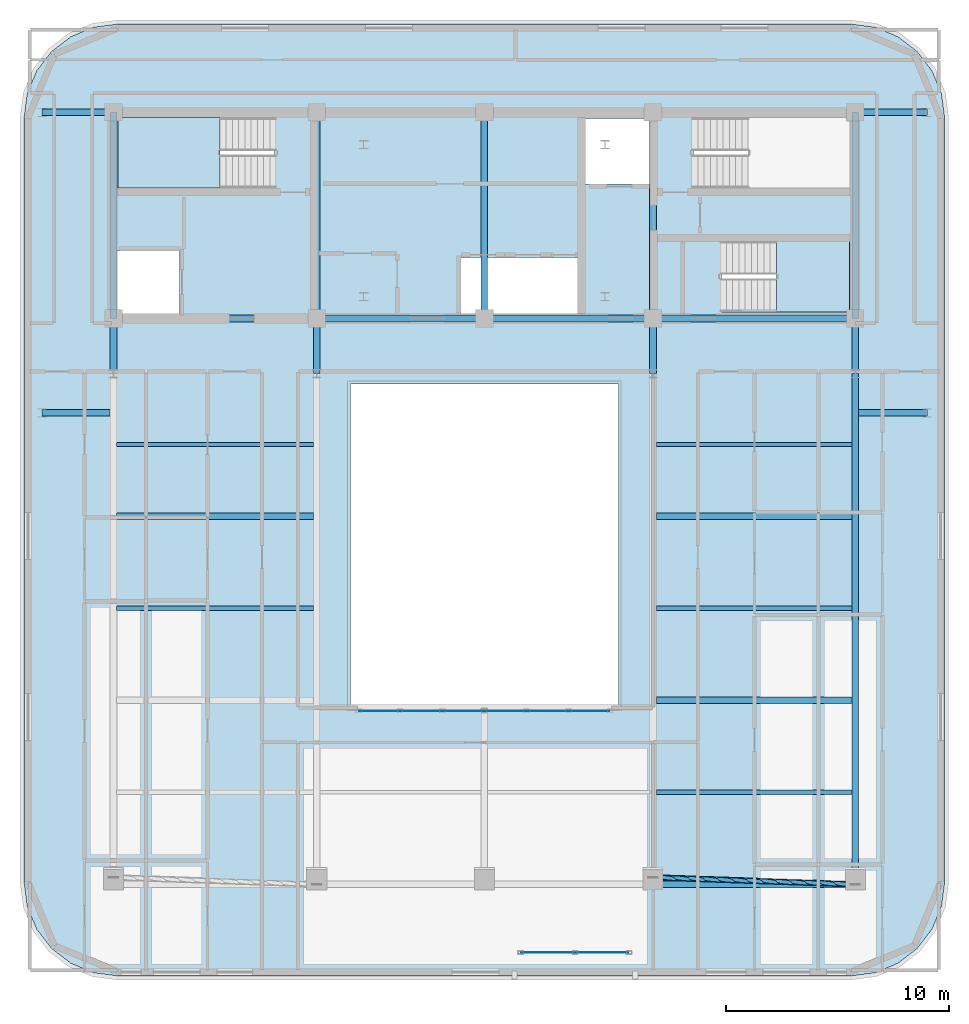
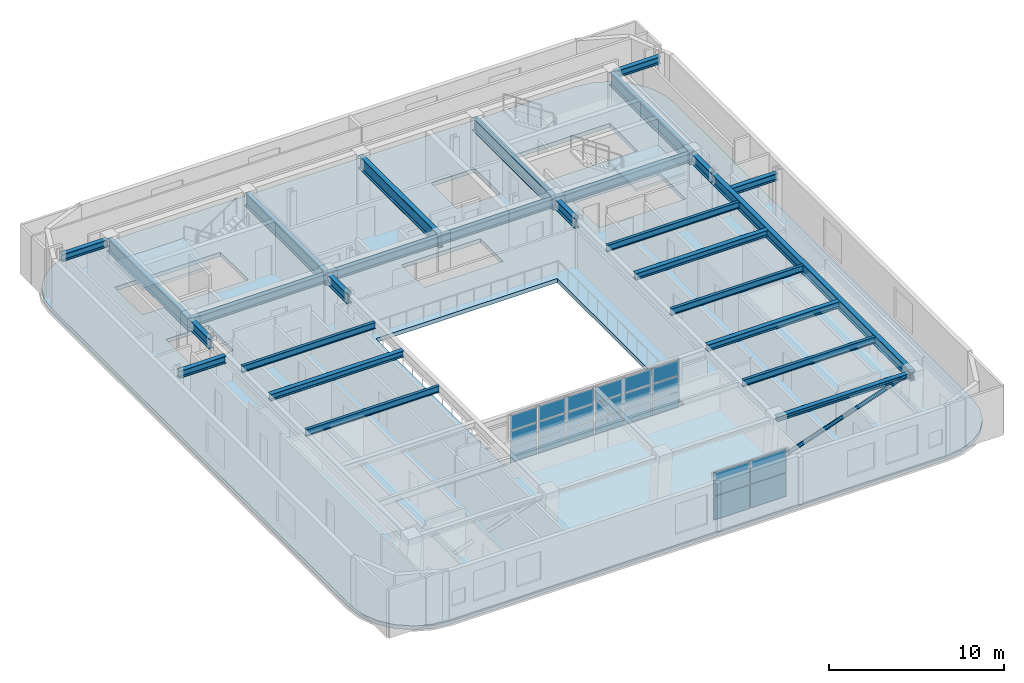
# One storey, part 4 of 14: 27 beams, 22 plates, 3 slabs, 1 member, 4 elements without a shape of their own.
"""IFC4 building model written with IfcOpenShell, lengths in metres."""

from ifc_helpers import new_model, si_unit, direction, frame, origin, origin_2d, place, context, subcontext, project, spatial, polyline, rectangle, hollow_circle, i_section, outline, extrude, material, layer, layer_set, material_profile, profile_set, type_object, element, aggregate, save


model = new_model("IFC4")

# Units and contexts
model_context = context("Model", 3, precision=1e-05, world=origin(), true_north=direction((0.0, 1.0)))
body_context = subcontext(model_context, "Body", "Model", "MODEL_VIEW")
ifc_project = project(units=[si_unit("LENGTHUNIT", "METRE"), si_unit("AREAUNIT", "SQUARE_METRE"), si_unit("VOLUMEUNIT", "CUBIC_METRE"), si_unit("PLANEANGLEUNIT", "RADIAN"), si_unit("MASSUNIT", "GRAM", prefix="KILO")], contexts=[model_context])

# Site, building, storey
site_placement = place(None, origin())
site = spatial("IfcSite", under=ifc_project, at=site_placement, CompositionType="ELEMENT")
building_placement = place(site_placement, origin())
building = spatial("IfcBuilding", under=site, at=building_placement, Name="Zarnavel Station Tower", CompositionType="ELEMENT")
storey_placement = place(building_placement, frame((0.0, 0.0, 258.39990234375)))
storey = spatial("IfcBuildingStorey", under=building, at=storey_placement, Name="L70", CompositionType="ELEMENT", Elevation=258.39990234375)

# Member
ifc_material_1 = material(Name="Steel S355J2", Category="steel")
ifc_material_profile_1 = material_profile(ifc_material_1, hollow_circle(Radius=0.122314453125, WallThickness=0.010009765625, at=origin_2d()), Name="CHS244.5x10")
ifc_profile_set_1 = profile_set([ifc_material_profile_1], Name="Steel S355J2")
member_type = type_object("IfcMemberType", Name="DB_EXT_CHS245", PredefinedType="BRACE", material=ifc_profile_set_1)
member_placement = place(storey_placement, frame((36.35009765625, 2.811767578125, 0.0), z_axis=(0.934945887527, -0.032032515301, 0.353341343972), x_axis=(0.034241266505, 0.999413595899, 0.0)))
element("IfcMember", 1, at=member_placement, inside=storey, type_object=member_type, Name="L70 Persian Exterior Diagonal Frame Brace 2", PredefinedType="BRACE", context=body_context, shape_type="SweptSolid", body=[
    extrude(hollow_circle(Radius=0.122314453125, WallThickness=0.010009765625, at=origin_2d()), origin(), (0.0, 0.0, 1.0), 9.679443359375),
])

# Beams
ifc_material_2 = material(Name="Steel S355J2", Category="steel")
ifc_material_profile_2 = material_profile(ifc_material_2, i_section(OverallWidth=0.300048828125, OverallDepth=0.320068359375, WebThickness=0.011474609375, FlangeThickness=0.0205078125, FilletRadius=0.027099609375, at=origin_2d()), Name="HEB320")
ifc_profile_set_2 = profile_set([ifc_material_profile_2], Name="Steel S355J2")
beam_type_1 = type_object("IfcBeamType", Name="EB_HEB320", PredefinedType="SPANDREL", material=ifc_profile_set_2)
beam_1_placement = place(storey_placement, frame((36.35009765625, 2.501708984375, 3.260009765625), z_axis=(1.0, 0.0, 0.0), x_axis=(0.0, 1.0, 0.0)))
element("IfcBeam", 2, at=beam_1_placement, inside=storey, type_object=beam_type_1, Name="L70 South Raked Spandrel 4", PredefinedType="SPANDREL", context=body_context, shape_type="SweptSolid", body=[
    extrude(i_section(OverallWidth=0.300048828125, OverallDepth=0.320068359375, WebThickness=0.011474609375, FlangeThickness=0.0205078125, FilletRadius=0.027099609375, at=origin_2d()), origin(), (0.0, 0.0, 1.0), 9.0498046875),
])
ifc_material_3 = material(Name="Steel S355J2", Category="steel")
ifc_material_profile_3 = material_profile(ifc_material_3, i_section(OverallWidth=0.300048828125, OverallDepth=0.43994140625, WebThickness=0.011474609375, FlangeThickness=0.02099609375, FilletRadius=0.027099609375, at=origin_2d()), Name="HEA450")
ifc_profile_set_3 = profile_set([ifc_material_profile_3], Name="Steel S355J2")
beam_type_2 = type_object("IfcBeamType", Name="FB_HEA450", PredefinedType="BEAM", material=ifc_profile_set_3)
beam_2_placement = place(storey_placement, frame((36.4951171875, 10.734619140625, 3.2001953125), z_axis=(1.0, 0.0, 0.0), x_axis=(0.0, 1.0, 0.0)))
element("IfcBeam", 3, at=beam_2_placement, inside=storey, type_object=beam_type_2, Name="L70 East Bay Beam 2", PredefinedType="BEAM", context=body_context, shape_type="SweptSolid", body=[
    extrude(i_section(OverallWidth=0.300048828125, OverallDepth=0.43994140625, WebThickness=0.011474609375, FlangeThickness=0.02099609375, FilletRadius=0.027099609375, at=origin_2d()), origin(), (0.0, 0.0, 1.0), 8.759765625),
])
beam_3_placement = place(storey_placement, frame((12.344970703125, 18.96728515625, 3.2001953125), z_axis=(1.0, 0.0, 0.0), x_axis=(0.0, 1.0, 0.0)))
element("IfcBeam", 4, at=beam_3_placement, inside=storey, type_object=beam_type_2, Name="L70 West Bay Beam 4", PredefinedType="BEAM", context=body_context, shape_type="SweptSolid", body=[
    extrude(i_section(OverallWidth=0.300048828125, OverallDepth=0.43994140625, WebThickness=0.011474609375, FlangeThickness=0.02099609375, FilletRadius=0.027099609375, at=origin_2d()), origin(), (0.0, 0.0, 1.0), 8.81005859375),
])
beam_4_placement = place(storey_placement, frame((36.4951171875, 18.96728515625, 3.2001953125), z_axis=(1.0, 0.0, 0.0), x_axis=(0.0, 1.0, 0.0)))
element("IfcBeam", 5, at=beam_4_placement, inside=storey, type_object=beam_type_2, Name="L70 East Bay Beam 4", PredefinedType="BEAM", context=body_context, shape_type="SweptSolid", body=[
    extrude(i_section(OverallWidth=0.300048828125, OverallDepth=0.43994140625, WebThickness=0.011474609375, FlangeThickness=0.02099609375, FilletRadius=0.027099609375, at=origin_2d()), origin(), (0.0, 0.0, 1.0), 8.759765625),
])
ifc_material_4 = material(Name="Steel S355J2", Category="steel")
ifc_material_profile_4 = material_profile(ifc_material_4, i_section(OverallWidth=0.18994140625, OverallDepth=0.449951171875, WebThickness=0.009521484375, FlangeThickness=0.0146484375, FilletRadius=0.02099609375, at=origin_2d()), Name="IPE450")
ifc_profile_set_4 = profile_set([ifc_material_profile_4], Name="Steel S355J2")
beam_type_3 = type_object("IfcBeamType", Name="FB_IPE450", PredefinedType="BEAM", material=ifc_profile_set_4)
beam_5_placement = place(storey_placement, frame((36.4951171875, 6.6181640625, 3.195068359375), z_axis=(1.0, 0.0, 0.0), x_axis=(0.0, 1.0, 0.0)))
element("IfcBeam", 6, at=beam_5_placement, inside=storey, type_object=beam_type_3, Name="L70 East Bay Beam 1", PredefinedType="BEAM", context=body_context, shape_type="SweptSolid", body=[
    extrude(i_section(OverallWidth=0.18994140625, OverallDepth=0.449951171875, WebThickness=0.009521484375, FlangeThickness=0.0146484375, FilletRadius=0.02099609375, at=origin_2d()), origin(), (0.0, 0.0, 1.0), 8.759765625),
])
beam_6_placement = place(storey_placement, frame((12.344970703125, 14.850830078125, 3.195068359375), z_axis=(1.0, 0.0, 0.0), x_axis=(0.0, 1.0, 0.0)))
element("IfcBeam", 7, at=beam_6_placement, inside=storey, type_object=beam_type_3, Name="L70 West Bay Beam 3", PredefinedType="BEAM", context=body_context, shape_type="SweptSolid", body=[
    extrude(i_section(OverallWidth=0.18994140625, OverallDepth=0.449951171875, WebThickness=0.009521484375, FlangeThickness=0.0146484375, FilletRadius=0.02099609375, at=origin_2d()), origin(), (0.0, 0.0, 1.0), 8.81005859375),
])
beam_7_placement = place(storey_placement, frame((36.4951171875, 14.850830078125, 3.195068359375), z_axis=(1.0, 0.0, 0.0), x_axis=(0.0, 1.0, 0.0)))
element("IfcBeam", 8, at=beam_7_placement, inside=storey, type_object=beam_type_3, Name="L70 East Bay Beam 3", PredefinedType="BEAM", context=body_context, shape_type="SweptSolid", body=[
    extrude(i_section(OverallWidth=0.18994140625, OverallDepth=0.449951171875, WebThickness=0.009521484375, FlangeThickness=0.0146484375, FilletRadius=0.02099609375, at=origin_2d()), origin(), (0.0, 0.0, 1.0), 8.759765625),
])
beam_8_placement = place(storey_placement, frame((12.344970703125, 22.18359375, 3.195068359375), z_axis=(1.0, 0.0, 0.0), x_axis=(0.0, 1.0, 0.0)))
element("IfcBeam", 9, at=beam_8_placement, inside=storey, type_object=beam_type_3, Name="L70 West Bay Beam 5", PredefinedType="BEAM", context=body_context, shape_type="SweptSolid", body=[
    extrude(i_section(OverallWidth=0.18994140625, OverallDepth=0.449951171875, WebThickness=0.009521484375, FlangeThickness=0.0146484375, FilletRadius=0.02099609375, at=origin_2d()), origin(), (0.0, 0.0, 1.0), 8.81005859375),
])
beam_9_placement = place(storey_placement, frame((36.4951171875, 22.18359375, 3.195068359375), z_axis=(1.0, 0.0, 0.0), x_axis=(0.0, 1.0, 0.0)))
element("IfcBeam", 10, at=beam_9_placement, inside=storey, type_object=beam_type_3, Name="L70 East Bay Beam 5", PredefinedType="BEAM", context=body_context, shape_type="SweptSolid", body=[
    extrude(i_section(OverallWidth=0.18994140625, OverallDepth=0.449951171875, WebThickness=0.009521484375, FlangeThickness=0.0146484375, FilletRadius=0.02099609375, at=origin_2d()), origin(), (0.0, 0.0, 1.0), 8.759765625),
])
ifc_material_5 = material(Name="Steel S355J2", Category="steel")
ifc_material_profile_5 = material_profile(ifc_material_5, i_section(OverallWidth=0.300048828125, OverallDepth=0.5, WebThickness=0.014404296875, FlangeThickness=0.028076171875, FilletRadius=0.027099609375, at=origin_2d()), Name="HEB500")
ifc_profile_set_5 = profile_set([ifc_material_profile_5], Name="Steel S355J2")
beam_type_4 = type_object("IfcBeamType", Name="FG_HEB500", PredefinedType="USERDEFINED", material=ifc_profile_set_5)
for number, where, z_axis, x_axis, name in (
    (11, (9.0, 23.60009765625, 3.170166015625), (1.0, 0.0, 0.0), (0.0, 1.0, 0.0), "L70 West Wing South Tie 1"),
    (12, (9.0, 37.050048828125, 3.170166015625), (1.0, 0.0, 0.0), (0.0, 1.0, 0.0), "L70 West Wing North Tie 1"),
):
    element("IfcBeam", number, at=place(storey_placement, frame(where, z_axis=z_axis, x_axis=x_axis)), inside=storey, type_object=beam_type_4, Name=name, ObjectType="GIRDER", PredefinedType="USERDEFINED", context=body_context, shape_type="SweptSolid", body=[
        extrude(i_section(OverallWidth=0.300048828125, OverallDepth=0.5, WebThickness=0.014404296875, FlangeThickness=0.028076171875, FilletRadius=0.027099609375, at=origin_2d()), origin(), (0.0, 0.0, 1.0), 3.054931640625),
    ])
for number, where, z_axis, x_axis, name in (
    (13, (45.544921875, 23.60009765625, 3.170166015625), (1.0, 0.0, 0.0), (0.0, 1.0, 0.0), "L70 East Wing South Tie 1"),
    (14, (45.544921875, 37.050048828125, 3.170166015625), (1.0, 0.0, 0.0), (0.0, 1.0, 0.0), "L70 East Wing North Tie 1"),
):
    element("IfcBeam", number, at=place(storey_placement, frame(where, z_axis=z_axis, x_axis=x_axis)), inside=storey, type_object=beam_type_4, Name=name, ObjectType="GIRDER", PredefinedType="USERDEFINED", context=body_context, shape_type="SweptSolid", body=[
        extrude(i_section(OverallWidth=0.300048828125, OverallDepth=0.5, WebThickness=0.014404296875, FlangeThickness=0.028076171875, FilletRadius=0.027099609375, at=origin_2d()), origin(), (0.0, 0.0, 1.0), 3.05517578125),
    ])
ifc_material_6 = material(Name="Steel S355J2", Category="steel")
ifc_material_profile_6 = material_profile(ifc_material_6, i_section(OverallWidth=0.300048828125, OverallDepth=0.60009765625, WebThickness=0.015380859375, FlangeThickness=0.030029296875, FilletRadius=0.027099609375, at=origin_2d()), Name="HEB600")
ifc_profile_set_6 = profile_set([ifc_material_profile_6], Name="Steel S355J2")
beam_type_5 = type_object("IfcBeamType", Name="FG_HEB600", PredefinedType="USERDEFINED", material=ifc_profile_set_6)
beam_10_placement = place(storey_placement, frame((12.199951171875, 27.820068359375, 3.1201171875), z_axis=(1.0, 0.0, 0.0), x_axis=(0.0, 1.0, 0.0)))
element("IfcBeam", 15, at=beam_10_placement, inside=storey, type_object=beam_type_5, Name="L70 Core Front Coupling Beam 1", ObjectType="GIRDER", PredefinedType="USERDEFINED", context=body_context, shape_type="SweptSolid", body=[
    extrude(i_section(OverallWidth=0.300048828125, OverallDepth=0.60009765625, WebThickness=0.015380859375, FlangeThickness=0.030029296875, FilletRadius=0.027099609375, at=origin_2d()), origin(), (0.0, 0.0, 1.0), 9.10009765625),
])
beam_11_placement = place(storey_placement, frame((21.300048828125, 27.820068359375, 3.1201171875), z_axis=(1.0, 0.0, 0.0), x_axis=(0.0, 1.0, 0.0)))
element("IfcBeam", 16, at=beam_11_placement, inside=storey, type_object=beam_type_5, Name="L70 Core Front Coupling Beam 2", ObjectType="GIRDER", PredefinedType="USERDEFINED", context=body_context, shape_type="SweptSolid", body=[
    extrude(i_section(OverallWidth=0.300048828125, OverallDepth=0.60009765625, WebThickness=0.015380859375, FlangeThickness=0.030029296875, FilletRadius=0.027099609375, at=origin_2d()), origin(), (0.0, 0.0, 1.0), 7.5),
])
beam_12_placement = place(storey_placement, frame((28.800048828125, 27.820068359375, 3.1201171875), z_axis=(1.0, 0.0, 0.0), x_axis=(0.0, 1.0, 0.0)))
element("IfcBeam", 17, at=beam_12_placement, inside=storey, type_object=beam_type_5, Name="L70 Core Front Coupling Beam 3", ObjectType="GIRDER", PredefinedType="USERDEFINED", context=body_context, shape_type="SweptSolid", body=[
    extrude(i_section(OverallWidth=0.300048828125, OverallDepth=0.60009765625, WebThickness=0.015380859375, FlangeThickness=0.030029296875, FilletRadius=0.027099609375, at=origin_2d()), origin(), (0.0, 0.0, 1.0), 7.550048828125),
])
beam_13_placement = place(storey_placement, frame((36.35009765625, 27.820068359375, 3.1201171875), z_axis=(1.0, 0.0, 0.0), x_axis=(0.0, 1.0, 0.0)))
element("IfcBeam", 18, at=beam_13_placement, inside=storey, type_object=beam_type_5, Name="L70 Core Front Coupling Beam 4", ObjectType="GIRDER", PredefinedType="USERDEFINED", context=body_context, shape_type="SweptSolid", body=[
    extrude(i_section(OverallWidth=0.300048828125, OverallDepth=0.60009765625, WebThickness=0.015380859375, FlangeThickness=0.030029296875, FilletRadius=0.027099609375, at=origin_2d()), origin(), (0.0, 0.0, 1.0), 9.0498046875),
])
ifc_material_7 = material(Name="Steel S355J2", Category="steel")
ifc_material_profile_7 = material_profile(ifc_material_7, i_section(OverallWidth=0.300048828125, OverallDepth=0.699951171875, WebThickness=0.01708984375, FlangeThickness=0.031982421875, FilletRadius=0.027099609375, at=origin_2d()), Name="HEB700")
ifc_profile_set_7 = profile_set([ifc_material_profile_7], Name="Steel S355J2")
beam_type_6 = type_object("IfcBeamType", Name="FG_HEB700", PredefinedType="USERDEFINED", material=ifc_profile_set_7)
for number, where, z_axis, x_axis, name in (
    (19, (12.199951171875, 25.35009765625, 3.070068359375), (0.0, 1.0, 0.0), (-1.0, 0.0, 0.0), "L70 Inner-Zone NS Girder 1"),
    (20, (21.300048828125, 25.35009765625, 3.070068359375), (0.0, 1.0, 0.0), (-1.0, 0.0, 0.0), "L70 Inner-Zone NS Girder 2"),
    (21, (36.35009765625, 25.35009765625, 3.070068359375), (0.0, 1.0, 0.0), (-1.0, 0.0, 0.0), "L70 Inner-Zone NS Girder 4"),
):
    element("IfcBeam", number, at=place(storey_placement, frame(where, z_axis=z_axis, x_axis=x_axis)), inside=storey, type_object=beam_type_6, Name=name, ObjectType="GIRDER", PredefinedType="USERDEFINED", context=body_context, shape_type="SweptSolid", body=[
        extrude(i_section(OverallWidth=0.300048828125, OverallDepth=0.699951171875, WebThickness=0.01708984375, FlangeThickness=0.031982421875, FilletRadius=0.027099609375, at=origin_2d()), origin(), (0.0, 0.0, 1.0), 2.469970703125),
    ])
beam_14_placement = place(storey_placement, frame((45.39990234375, 2.501708984375, 3.070068359375), z_axis=(0.0, 1.0, 0.0), x_axis=(-1.0, 0.0, 0.0)))
element("IfcBeam", 22, at=beam_14_placement, inside=storey, type_object=beam_type_6, Name="L70 South-Zone NS Girder 5", ObjectType="GIRDER", PredefinedType="USERDEFINED", context=body_context, shape_type="SweptSolid", body=[
    extrude(i_section(OverallWidth=0.300048828125, OverallDepth=0.699951171875, WebThickness=0.01708984375, FlangeThickness=0.031982421875, FilletRadius=0.027099609375, at=origin_2d()), origin(), (0.0, 0.0, 1.0), 22.848388671875),
])
beam_15_placement = place(storey_placement, frame((45.39990234375, 25.35009765625, 3.070068359375), z_axis=(0.0, 1.0, 0.0), x_axis=(-1.0, 0.0, 0.0)))
element("IfcBeam", 23, at=beam_15_placement, inside=storey, type_object=beam_type_6, Name="L70 Inner-Zone NS Girder 5", ObjectType="GIRDER", PredefinedType="USERDEFINED", context=body_context, shape_type="SweptSolid", body=[
    extrude(i_section(OverallWidth=0.300048828125, OverallDepth=0.699951171875, WebThickness=0.01708984375, FlangeThickness=0.031982421875, FilletRadius=0.027099609375, at=origin_2d()), origin(), (0.0, 0.0, 1.0), 2.469970703125),
])
ifc_material_8 = material(Name="Steel S460M", Category="steel")
ifc_material_profile_8 = material_profile(ifc_material_8, i_section(OverallWidth=0.302001953125, OverallDepth=0.909912109375, WebThickness=0.02099609375, FlangeThickness=0.0400390625, FilletRadius=0.030029296875, at=origin_2d()), Name="HEM900")
ifc_profile_set_8 = profile_set([ifc_material_profile_8], Name="Steel S460M")
beam_type_7 = type_object("IfcBeamType", Name="TG_HEM900", PredefinedType="USERDEFINED", material=ifc_profile_set_8)
for number, where, z_axis, x_axis, name in (
    (24, (12.199951171875, 27.820068359375, 2.965087890625), (0.0, 1.0, 0.0), (-1.0, 0.0, 0.0), "L70 Core Spine Coupling Girder 1"),
    (25, (21.300048828125, 27.820068359375, 2.965087890625), (0.0, 1.0, 0.0), (-1.0, 0.0, 0.0), "L70 Core Spine Coupling Girder 2"),
    (26, (28.800048828125, 27.820068359375, 2.965087890625), (0.0, 1.0, 0.0), (-1.0, 0.0, 0.0), "L70 Core Spine Coupling Girder 3"),
    (27, (36.35009765625, 27.820068359375, 2.965087890625), (0.0, 1.0, 0.0), (-1.0, 0.0, 0.0), "L70 Core Spine Coupling Girder 4"),
    (28, (45.39990234375, 27.820068359375, 2.965087890625), (0.0, 1.0, 0.0), (-1.0, 0.0, 0.0), "L70 Core Spine Coupling Girder 5"),
):
    element("IfcBeam", number, at=place(storey_placement, frame(where, z_axis=z_axis, x_axis=x_axis)), inside=storey, type_object=beam_type_7, Name=name, ObjectType="GIRDER", PredefinedType="USERDEFINED", context=body_context, shape_type="SweptSolid", body=[
        extrude(i_section(OverallWidth=0.302001953125, OverallDepth=0.909912109375, WebThickness=0.02099609375, FlangeThickness=0.0400390625, FilletRadius=0.030029296875, at=origin_2d()), origin(), (0.0, 0.0, 1.0), 9.22998046875),
    ])

# Curtain wall, plates
ifc_material_9 = material(Name="Aluminium Dark Anodised and Solar-Control Glass", Category="aluminium")
ifc_layer_1 = layer(ifc_material_9, 0.179931640625)
ifc_layer_set_1 = layer_set([ifc_layer_1], Name="CWS6")
curtain_wall_type = type_object("IfcCurtainWallType", Name="CWS6", PredefinedType="NOTDEFINED", material=ifc_layer_set_1)
curtain_wall_1_placement = place(storey_placement, origin())
curtain_wall_1 = element("IfcCurtainWall", 29, at=curtain_wall_1_placement, inside=storey, type_object=curtain_wall_type, Name="L70 Curtain Wall CWS6-LOG-L70", PredefinedType="NOTDEFINED")
ifc_material_10 = material(Name="Double Low-E Dark Solar-Control Glass", Category="glass")
ifc_layer_2 = layer(ifc_material_10, 0.0380859375)
ifc_layer_set_2 = layer_set([ifc_layer_2], Name="CWS6_PNL")
plate_type = type_object("IfcPlateType", Name="CWS6_PNL", PredefinedType="CURTAIN_PANEL", material=ifc_layer_set_2)
plate_1_placement = place(storey_placement, frame((31.639892578125, -0.550048828125, 0.06005859375), z_axis=(0.0, 0.0, 1.0), x_axis=(1.0, 0.0, 0.0)))
plate_1 = element("IfcPlate", 30, at=plate_1_placement, type_object=plate_type, Name="CW6 panel 1.1", PredefinedType="CURTAIN_PANEL", context=body_context, shape_type="SweptSolid", body=[
    extrude(rectangle(XDim=2.360107421875, YDim=0.028076171875, at=origin_2d()), origin(), (0.0, 0.0, 1.0), 1.6201171875),
])
plate_2_placement = place(storey_placement, frame((31.639892578125, -0.550048828125, 1.739990234375), z_axis=(0.0, 0.0, 1.0), x_axis=(1.0, 0.0, 0.0)))
plate_2 = element("IfcPlate", 31, at=plate_2_placement, type_object=plate_type, Name="CW6 panel 1.2", PredefinedType="CURTAIN_PANEL", context=body_context, shape_type="SweptSolid", body=[
    extrude(rectangle(XDim=2.360107421875, YDim=0.028076171875, at=origin_2d()), origin(), (0.0, 0.0, 1.0), 1.6201171875),
])
plate_3_placement = place(storey_placement, frame((34.06005859375, -0.550048828125, 0.06005859375), z_axis=(0.0, 0.0, 1.0), x_axis=(1.0, 0.0, 0.0)))
plate_3 = element("IfcPlate", 32, at=plate_3_placement, type_object=plate_type, Name="CW6 panel 2.1", PredefinedType="CURTAIN_PANEL", context=body_context, shape_type="SweptSolid", body=[
    extrude(rectangle(XDim=2.360107421875, YDim=0.028076171875, at=origin_2d()), origin(), (0.0, 0.0, 1.0), 1.6201171875),
])
plate_4_placement = place(storey_placement, frame((34.06005859375, -0.550048828125, 1.739990234375), z_axis=(0.0, 0.0, 1.0), x_axis=(1.0, 0.0, 0.0)))
plate_4 = element("IfcPlate", 33, at=plate_4_placement, type_object=plate_type, Name="CW6 panel 2.2", PredefinedType="CURTAIN_PANEL", context=body_context, shape_type="SweptSolid", body=[
    extrude(rectangle(XDim=2.360107421875, YDim=0.028076171875, at=origin_2d()), origin(), (0.0, 0.0, 1.0), 1.6201171875),
])
aggregate(curtain_wall_1, [plate_1, plate_2, plate_3, plate_4])

curtain_wall_2_placement = place(storey_placement, origin())
curtain_wall_2 = element("IfcCurtainWall", 34, at=curtain_wall_2_placement, inside=storey, type_object=curtain_wall_type, Name="L70 Curtain Wall CWS6-L70-AS", PredefinedType="NOTDEFINED")
plate_5_placement = place(storey_placement, frame((24.106689453125, 10.25, 0.06005859375), z_axis=(0.0, 0.0, 1.0), x_axis=(1.0, 0.0, 0.0)))
plate_5 = element("IfcPlate", 35, at=plate_5_placement, type_object=plate_type, Name="CW6 panel 1.1", PredefinedType="CURTAIN_PANEL", context=body_context, shape_type="SweptSolid", body=[
    extrude(rectangle(XDim=1.793212890625, YDim=0.028076171875, at=origin_2d()), origin(), (0.0, 0.0, 1.0), 1.050048828125),
])
plate_6_placement = place(storey_placement, frame((24.106689453125, 10.25, 1.170166015625), z_axis=(0.0, 0.0, 1.0), x_axis=(1.0, 0.0, 0.0)))
plate_6 = element("IfcPlate", 36, at=plate_6_placement, type_object=plate_type, Name="CW6 panel 1.2", PredefinedType="CURTAIN_PANEL", context=body_context, shape_type="SweptSolid", body=[
    extrude(rectangle(XDim=1.793212890625, YDim=0.028076171875, at=origin_2d()), origin(), (0.0, 0.0, 1.0), 1.080078125),
])
plate_7_placement = place(storey_placement, frame((24.106689453125, 10.25, 2.31005859375), z_axis=(0.0, 0.0, 1.0), x_axis=(1.0, 0.0, 0.0)))
plate_7 = element("IfcPlate", 37, at=plate_7_placement, type_object=plate_type, Name="CW6 panel 1.3", PredefinedType="CURTAIN_PANEL", context=body_context, shape_type="SweptSolid", body=[
    extrude(rectangle(XDim=1.793212890625, YDim=0.028076171875, at=origin_2d()), origin(), (0.0, 0.0, 1.0), 1.050048828125),
])
plate_8_placement = place(storey_placement, frame((25.97509765625, 10.25, 0.06005859375), z_axis=(0.0, 0.0, 1.0), x_axis=(1.0, 0.0, 0.0)))
plate_8 = element("IfcPlate", 38, at=plate_8_placement, type_object=plate_type, Name="CW6 panel 2.1", PredefinedType="CURTAIN_PANEL", context=body_context, shape_type="SweptSolid", body=[
    extrude(rectangle(XDim=1.8232421875, YDim=0.028076171875, at=origin_2d()), origin(), (0.0, 0.0, 1.0), 1.050048828125),
])
plate_9_placement = place(storey_placement, frame((25.97509765625, 10.25, 1.170166015625), z_axis=(0.0, 0.0, 1.0), x_axis=(1.0, 0.0, 0.0)))
plate_9 = element("IfcPlate", 39, at=plate_9_placement, type_object=plate_type, Name="CW6 panel 2.2", PredefinedType="CURTAIN_PANEL", context=body_context, shape_type="SweptSolid", body=[
    extrude(rectangle(XDim=1.8232421875, YDim=0.028076171875, at=origin_2d()), origin(), (0.0, 0.0, 1.0), 1.080078125),
])
plate_10_placement = place(storey_placement, frame((25.97509765625, 10.25, 2.31005859375), z_axis=(0.0, 0.0, 1.0), x_axis=(1.0, 0.0, 0.0)))
plate_10 = element("IfcPlate", 40, at=plate_10_placement, type_object=plate_type, Name="CW6 panel 2.3", PredefinedType="CURTAIN_PANEL", context=body_context, shape_type="SweptSolid", body=[
    extrude(rectangle(XDim=1.8232421875, YDim=0.028076171875, at=origin_2d()), origin(), (0.0, 0.0, 1.0), 1.050048828125),
])
plate_11_placement = place(storey_placement, frame((27.8583984375, 10.25, 0.06005859375), z_axis=(0.0, 0.0, 1.0), x_axis=(1.0, 0.0, 0.0)))
plate_11 = element("IfcPlate", 41, at=plate_11_placement, type_object=plate_type, Name="CW6 panel 3.1", PredefinedType="CURTAIN_PANEL", context=body_context, shape_type="SweptSolid", body=[
    extrude(rectangle(XDim=1.8232421875, YDim=0.028076171875, at=origin_2d()), origin(), (0.0, 0.0, 1.0), 1.050048828125),
])
plate_12_placement = place(storey_placement, frame((27.8583984375, 10.25, 1.170166015625), z_axis=(0.0, 0.0, 1.0), x_axis=(1.0, 0.0, 0.0)))
plate_12 = element("IfcPlate", 42, at=plate_12_placement, type_object=plate_type, Name="CW6 panel 3.2", PredefinedType="CURTAIN_PANEL", context=body_context, shape_type="SweptSolid", body=[
    extrude(rectangle(XDim=1.8232421875, YDim=0.028076171875, at=origin_2d()), origin(), (0.0, 0.0, 1.0), 1.080078125),
])
plate_13_placement = place(storey_placement, frame((27.8583984375, 10.25, 2.31005859375), z_axis=(0.0, 0.0, 1.0), x_axis=(1.0, 0.0, 0.0)))
plate_13 = element("IfcPlate", 43, at=plate_13_placement, type_object=plate_type, Name="CW6 panel 3.3", PredefinedType="CURTAIN_PANEL", context=body_context, shape_type="SweptSolid", body=[
    extrude(rectangle(XDim=1.8232421875, YDim=0.028076171875, at=origin_2d()), origin(), (0.0, 0.0, 1.0), 1.050048828125),
])
plate_14_placement = place(storey_placement, frame((29.74169921875, 10.25, 0.06005859375), z_axis=(0.0, 0.0, 1.0), x_axis=(1.0, 0.0, 0.0)))
plate_14 = element("IfcPlate", 44, at=plate_14_placement, type_object=plate_type, Name="CW6 panel 4.1", PredefinedType="CURTAIN_PANEL", context=body_context, shape_type="SweptSolid", body=[
    extrude(rectangle(XDim=1.8232421875, YDim=0.028076171875, at=origin_2d()), origin(), (0.0, 0.0, 1.0), 1.050048828125),
])
plate_15_placement = place(storey_placement, frame((29.74169921875, 10.25, 1.170166015625), z_axis=(0.0, 0.0, 1.0), x_axis=(1.0, 0.0, 0.0)))
plate_15 = element("IfcPlate", 45, at=plate_15_placement, type_object=plate_type, Name="CW6 panel 4.2", PredefinedType="CURTAIN_PANEL", context=body_context, shape_type="SweptSolid", body=[
    extrude(rectangle(XDim=1.8232421875, YDim=0.028076171875, at=origin_2d()), origin(), (0.0, 0.0, 1.0), 1.080078125),
])
plate_16_placement = place(storey_placement, frame((29.74169921875, 10.25, 2.31005859375), z_axis=(0.0, 0.0, 1.0), x_axis=(1.0, 0.0, 0.0)))
plate_16 = element("IfcPlate", 46, at=plate_16_placement, type_object=plate_type, Name="CW6 panel 4.3", PredefinedType="CURTAIN_PANEL", context=body_context, shape_type="SweptSolid", body=[
    extrude(rectangle(XDim=1.8232421875, YDim=0.028076171875, at=origin_2d()), origin(), (0.0, 0.0, 1.0), 1.050048828125),
])
plate_17_placement = place(storey_placement, frame((31.625, 10.25, 0.06005859375), z_axis=(0.0, 0.0, 1.0), x_axis=(1.0, 0.0, 0.0)))
plate_17 = element("IfcPlate", 47, at=plate_17_placement, type_object=plate_type, Name="CW6 panel 5.1", PredefinedType="CURTAIN_PANEL", context=body_context, shape_type="SweptSolid", body=[
    extrude(rectangle(XDim=1.8232421875, YDim=0.028076171875, at=origin_2d()), origin(), (0.0, 0.0, 1.0), 1.050048828125),
])
plate_18_placement = place(storey_placement, frame((31.625, 10.25, 1.170166015625), z_axis=(0.0, 0.0, 1.0), x_axis=(1.0, 0.0, 0.0)))
plate_18 = element("IfcPlate", 48, at=plate_18_placement, type_object=plate_type, Name="CW6 panel 5.2", PredefinedType="CURTAIN_PANEL", context=body_context, shape_type="SweptSolid", body=[
    extrude(rectangle(XDim=1.8232421875, YDim=0.028076171875, at=origin_2d()), origin(), (0.0, 0.0, 1.0), 1.080078125),
])
plate_19_placement = place(storey_placement, frame((31.625, 10.25, 2.31005859375), z_axis=(0.0, 0.0, 1.0), x_axis=(1.0, 0.0, 0.0)))
plate_19 = element("IfcPlate", 49, at=plate_19_placement, type_object=plate_type, Name="CW6 panel 5.3", PredefinedType="CURTAIN_PANEL", context=body_context, shape_type="SweptSolid", body=[
    extrude(rectangle(XDim=1.8232421875, YDim=0.028076171875, at=origin_2d()), origin(), (0.0, 0.0, 1.0), 1.050048828125),
])
plate_20_placement = place(storey_placement, frame((33.493408203125, 10.25, 0.06005859375), z_axis=(0.0, 0.0, 1.0), x_axis=(1.0, 0.0, 0.0)))
plate_20 = element("IfcPlate", 50, at=plate_20_placement, type_object=plate_type, Name="CW6 panel 6.1", PredefinedType="CURTAIN_PANEL", context=body_context, shape_type="SweptSolid", body=[
    extrude(rectangle(XDim=1.793212890625, YDim=0.028076171875, at=origin_2d()), origin(), (0.0, 0.0, 1.0), 1.050048828125),
])
plate_21_placement = place(storey_placement, frame((33.493408203125, 10.25, 1.170166015625), z_axis=(0.0, 0.0, 1.0), x_axis=(1.0, 0.0, 0.0)))
plate_21 = element("IfcPlate", 51, at=plate_21_placement, type_object=plate_type, Name="CW6 panel 6.2", PredefinedType="CURTAIN_PANEL", context=body_context, shape_type="SweptSolid", body=[
    extrude(rectangle(XDim=1.793212890625, YDim=0.028076171875, at=origin_2d()), origin(), (0.0, 0.0, 1.0), 1.080078125),
])
plate_22_placement = place(storey_placement, frame((33.493408203125, 10.25, 2.31005859375), z_axis=(0.0, 0.0, 1.0), x_axis=(1.0, 0.0, 0.0)))
plate_22 = element("IfcPlate", 52, at=plate_22_placement, type_object=plate_type, Name="CW6 panel 6.3", PredefinedType="CURTAIN_PANEL", context=body_context, shape_type="SweptSolid", body=[
    extrude(rectangle(XDim=1.793212890625, YDim=0.028076171875, at=origin_2d()), origin(), (0.0, 0.0, 1.0), 1.050048828125),
])
aggregate(curtain_wall_2, [plate_5, plate_6, plate_7, plate_8, plate_9, plate_10, plate_11, plate_12, plate_13, plate_14, plate_15, plate_16, plate_17, plate_18, plate_19, plate_20, plate_21, plate_22])

# Slab
ifc_material_11 = material(Name="Concrete C45/55", Category="concrete")
ifc_layer_3 = layer(ifc_material_11, 0.280029296875)
ifc_layer_set_3 = layer_set([ifc_layer_3], Name="SL_FLR_280")
slab_type_1 = type_object("IfcSlabType", Name="SL_FLR_280", PredefinedType="FLOOR", material=ifc_layer_set_3)
slab_1_placement = place(storey_placement, frame((0.0, 0.0, -0.27978515625)))
element("IfcSlab", 53, at=slab_1_placement, inside=storey, type_object=slab_type_1, Name="L70 Structural Floor Slab", PredefinedType="FLOOR", context=body_context, shape_type="SweptSolid", body=[
    extrude(outline(polyline([(45.199951171875, -1.60009765625), (46.287109375, -1.456787109375), (47.300048828125, -1.037353515625), (48.169921875, -0.369873046875), (48.83740234375, 0.5), (49.2568359375, 1.512939453125), (49.39990234375, 2.60009765625), (49.39990234375, 36.800048828125), (49.2568359375, 37.886962890625), (48.83740234375, 38.89990234375), (48.169921875, 39.769775390625), (47.300048828125, 40.437255859375), (46.287109375, 40.85693359375), (45.199951171875, 41.0), (12.39990234375, 41.0), (11.31298828125, 40.85693359375), (10.300048828125, 40.437255859375), (9.43017578125, 39.769775390625), (8.7626953125, 38.89990234375), (8.343017578125, 37.886962890625), (8.199951171875, 36.800048828125), (8.199951171875, 2.60009765625), (8.343017578125, 1.512939453125), (8.7626953125, 0.5), (9.43017578125, -0.369873046875), (10.300048828125, -1.037353515625), (11.31298828125, -1.456787109375), (12.39990234375, -1.60009765625), (45.199951171875, -1.60009765625)]), holes=[polyline([(12.39990234375, 33.659912109375), (19.409912109375, 33.659912109375), (19.409912109375, 36.820068359375), (12.39990234375, 36.820068359375), (12.39990234375, 33.659912109375)]), polyline([(38.14990234375, 33.659912109375), (45.159912109375, 33.659912109375), (45.159912109375, 36.820068359375), (38.14990234375, 36.820068359375), (38.14990234375, 33.659912109375)]), polyline([(39.419921875, 28.1201171875), (45.14990234375, 28.1201171875), (45.14990234375, 31.280029296875), (39.419921875, 31.280029296875), (39.419921875, 28.1201171875)]), polyline([(12.35009765625, 27.949951171875), (15.14990234375, 27.949951171875), (15.14990234375, 30.85009765625), (12.35009765625, 30.85009765625), (12.35009765625, 27.949951171875)]), polyline([(33.320068359375, 33.85009765625), (36.2099609375, 33.85009765625), (36.2099609375, 36.780029296875), (33.320068359375, 36.780029296875), (33.320068359375, 33.85009765625)]), polyline([(27.75, 27.949951171875), (32.97998046875, 27.949951171875), (32.97998046875, 30.550048828125), (27.75, 30.550048828125), (27.75, 27.949951171875)]), polyline([(22.800048828125, 10.39990234375), (34.800048828125, 10.39990234375), (34.800048828125, 24.89990234375), (22.800048828125, 24.89990234375), (22.800048828125, 10.39990234375)])]), origin(), (0.0, 0.0, 1.0), 0.27978515625),
])

# Stair, slab
ifc_material_12 = material(Name="Concrete C45/55", Category="concrete")
stair_type = type_object("IfcStairType", Name="ST_CORE_150", PredefinedType="HALF_TURN_STAIR", material=ifc_material_12)
stair_1_placement = place(storey_placement, origin())
stair_1 = element("IfcStair", 54, at=stair_1_placement, inside=storey, type_object=stair_type, Name="L70 Core Exit Stair ST1", PredefinedType="HALF_TURN_STAIR")
ifc_material_13 = material(Name="Concrete C45/55", Category="concrete")
ifc_layer_4 = layer(ifc_material_13, 0.199951171875)
ifc_layer_set_4 = layer_set([ifc_layer_4], Name="SL_STAIR_LAND_200")
slab_type_2 = type_object("IfcSlabType", Name="SL_STAIR_LAND_200", PredefinedType="LANDING", material=ifc_layer_set_4)
slab_2_placement = place(storey_placement, frame((0.0, 0.0, 1.650146484375)))
slab_2 = element("IfcSlab", 55, at=slab_2_placement, type_object=slab_type_2, Name="ST1 landing 1", PredefinedType="LANDING", context=body_context, shape_type="SweptSolid", body=[
    extrude(outline(polyline([(16.9599609375, 36.820068359375), (12.39990234375, 36.820068359375), (12.39990234375, 33.659912109375), (16.9599609375, 33.659912109375), (16.9599609375, 36.820068359375)])), origin(), (0.0, 0.0, 1.0), 0.199951171875),
])
aggregate(stair_1, [slab_2])

stair_2_placement = place(storey_placement, origin())
stair_2 = element("IfcStair", 56, at=stair_2_placement, inside=storey, type_object=stair_type, Name="L70 Core Exit Stair ST3", PredefinedType="HALF_TURN_STAIR")
slab_3_placement = place(storey_placement, frame((0.0, 0.0, 1.650146484375)))
slab_3 = element("IfcSlab", 57, at=slab_3_placement, type_object=slab_type_2, Name="ST3 landing 1", PredefinedType="LANDING", context=body_context, shape_type="SweptSolid", body=[
    extrude(outline(polyline([(41.8701171875, 28.1201171875), (45.14990234375, 28.1201171875), (45.14990234375, 31.280029296875), (41.8701171875, 31.280029296875), (41.8701171875, 28.1201171875)])), origin(), (0.0, 0.0, 1.0), 0.199951171875),
])
aggregate(stair_2, [slab_3])

save(model, "model.ifc")
